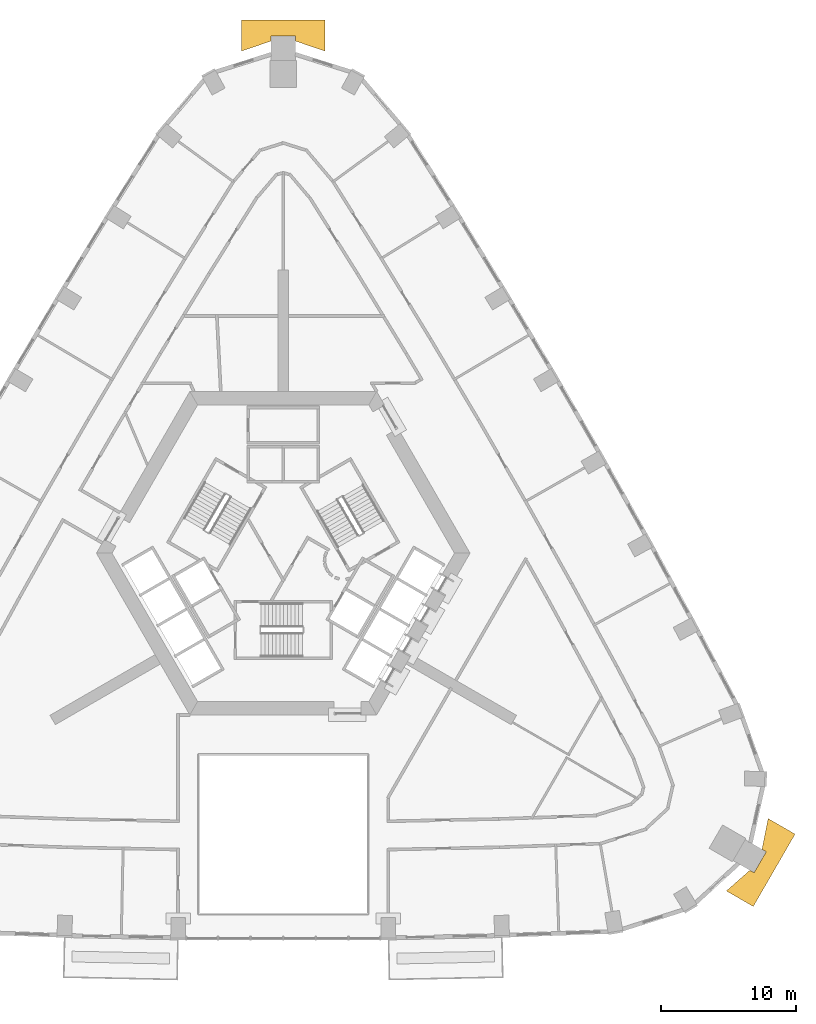
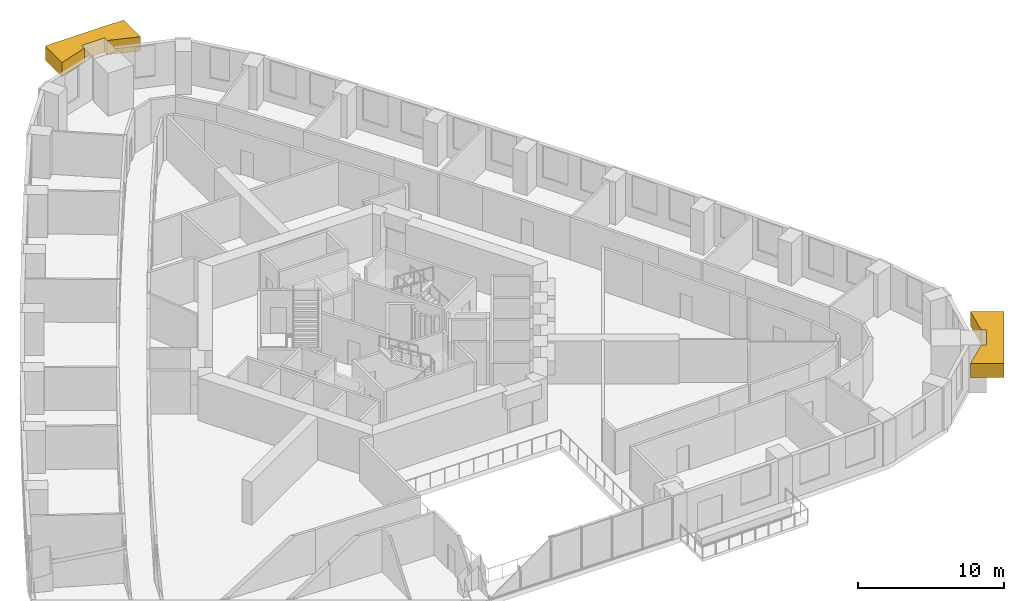
# One storey, part 14 of 14: 2 coverings.
"""IFC4 building model written with IfcOpenShell, lengths in metres."""

import ifcopenshell
import ifcopenshell.guid

model = None  # the IFC model being written
_history = None  # IfcOwnerHistory: only IFC2X3 demands one
_inside = {}  # id of a spatial element -> (the spatial element, [elements in it])
_under = {}  # id of a project, library or spatial element -> (it, [spatial elements below it])
_declared = {}  # id of a project -> (the project, [libraries it declares])
_typed = {}  # id of a type object -> (the type object, [elements of that type])
_made_of = {}  # id of a material, layer set ... -> (it, [elements and type objects made of it])


def new_model(schema):
    """Start an empty IFC model of exactly this schema.

    Asked for "IFC4X3", IfcOpenShell would pick the latest addendum, in which some entities
    have other attributes; the version numbers below select the first issue.
    IFC2X3 requires an IfcOwnerHistory on every rooted entity: one is made here for all.
    """
    global model, _history
    if schema == "IFC4X3":
        model = ifcopenshell.file(schema_version=(4, 3, 0, 0))
    else:
        model = ifcopenshell.file(schema=schema)
    _inside.clear()
    _under.clear()
    _declared.clear()
    _typed.clear()
    _made_of.clear()
    _history = None
    if model.schema == "IFC2X3":
        org = make("IfcOrganization", Name="unknown")
        user = make(
            "IfcPersonAndOrganization",
            ThePerson=make("IfcPerson", FamilyName="unknown"),
            TheOrganization=org,
        )
        app = make(
            "IfcApplication",
            ApplicationDeveloper=org,
            Version="unknown",
            ApplicationFullName="unknown",
            ApplicationIdentifier="unknown",
        )
        _history = make(
            "IfcOwnerHistory",
            OwningUser=user,
            OwningApplication=app,
            ChangeAction="ADDED",
            CreationDate=0,
        )
    return model


def make(cls, **values):
    """One entity of the class cls with the attributes given. An attribute that is None is left unset."""
    return model.create_entity(
        cls, **{name: value for name, value in values.items() if value is not None}
    )


def rooted(cls, **values):
    """An entity with a GlobalId (a new one), such as an element, a storey or a relation."""
    return make(cls, GlobalId=ifcopenshell.guid.new(), OwnerHistory=_history, **values)


def si_unit(unit_type, name, prefix=None):
    """IfcSIUnit, for example si_unit("LENGTHUNIT", "METRE", prefix="MILLI")."""
    return make("IfcSIUnit", UnitType=unit_type, Prefix=prefix, Name=name)


def assignment(units):
    """IfcUnitAssignment: the units of a project."""
    return None if units is None else make("IfcUnitAssignment", Units=units)


def point(xyz):
    """IfcCartesianPoint."""
    return None if xyz is None else make("IfcCartesianPoint", Coordinates=xyz)


def direction(xyz):
    """IfcDirection."""
    return None if xyz is None else make("IfcDirection", DirectionRatios=xyz)


def frame(location, z_axis=None, x_axis=None):
    """IfcAxis2Placement3D, a coordinate frame: its origin and axes. An axis left out is left unset."""
    return make(
        "IfcAxis2Placement3D",
        Location=point(location),
        Axis=direction(z_axis),
        RefDirection=direction(x_axis),
    )


def origin():
    """The frame at (0, 0, 0) with its axes left unset."""
    return frame((0.0, 0.0, 0.0))


def place(relative_to, where):
    """IfcLocalPlacement: puts the frame where relative to a parent placement (None: the world)."""
    return make(
        "IfcLocalPlacement", PlacementRelTo=relative_to, RelativePlacement=where
    )


def context(
    kind, dimensions, precision=None, world=None, true_north=None, identifier=None
):
    """IfcGeometricRepresentationContext, for example the 3D "Model" context."""
    return make(
        "IfcGeometricRepresentationContext",
        ContextIdentifier=identifier,
        ContextType=kind,
        CoordinateSpaceDimension=dimensions,
        Precision=precision,
        WorldCoordinateSystem=world,
        TrueNorth=true_north,
    )


def subcontext(parent, identifier, kind, view, scale=None):
    """IfcGeometricRepresentationSubContext, for example "Body" below "Model"."""
    return make(
        "IfcGeometricRepresentationSubContext",
        ContextIdentifier=identifier,
        ContextType=kind,
        ParentContext=parent,
        TargetScale=scale,
        TargetView=view,
    )


def project(units=None, contexts=None):
    """IfcProject with its units and contexts."""
    return rooted(
        "IfcProject",
        Name="project",
        RepresentationContexts=contexts,
        UnitsInContext=assignment(units),
    )


def spatial(cls, under=None, at=None, **own):
    """A site, building, storey or space (cls), placed at a placement, below another one or the project."""
    s = rooted(cls, ObjectPlacement=at, **own)
    if under is not None:
        _under.setdefault(under.id(), (under, []))[1].append(s)
    return s


def polyline(points):
    """IfcPolyline through the points."""
    return make("IfcPolyline", Points=[point(p) for p in points])


def outline(outer, holes=None, kind="AREA"):
    """IfcArbitraryClosedProfileDef: a profile drawn as a closed curve; with holes, ...WithVoids."""
    if holes is None:
        return make("IfcArbitraryClosedProfileDef", ProfileType=kind, OuterCurve=outer)
    return make(
        "IfcArbitraryProfileDefWithVoids",
        ProfileType=kind,
        OuterCurve=outer,
        InnerCurves=holes,
    )


def extrude(swept, where, along, depth):
    """IfcExtrudedAreaSolid: the profile swept, set in the frame where, extruded along a direction by depth."""
    return make(
        "IfcExtrudedAreaSolid",
        SweptArea=swept,
        Position=where,
        ExtrudedDirection=direction(along),
        Depth=depth,
    )


def shape(context_of_items, identifier, shape_type, items):
    """IfcShapeRepresentation: the items that make up one representation, for example the "Body"."""
    return make(
        "IfcShapeRepresentation",
        ContextOfItems=context_of_items,
        RepresentationIdentifier=identifier,
        RepresentationType=shape_type,
        Items=items,
    )


def material(Name=None, Category=None):
    """IfcMaterial."""
    return make("IfcMaterial", Name=Name, Category=Category)


def made_of(thing, what):
    """Note that an element or type object is made of a material, layer set ...; save() writes the relation."""
    if what is not None:
        _made_of.setdefault(what.id(), (what, []))[1].append(thing)
    return thing


def type_object(cls, material=None, **own):
    """A type object (cls), such as IfcWallType, which elements share."""
    return made_of(rooted(cls, **own), material)


def element(
    cls,
    number,
    at=None,
    inside=None,
    cuts=None,
    type_object=None,
    material=None,
    context=None,
    identifier="Body",
    shape_type=None,
    held_by="IfcProductDefinitionShape",
    body=None,
    shapes=None,
    **own,
):
    """One element of the class cls, such as IfcWall. Its Tag is "e" and its number.

    at: its placement. inside: the storey or other place that contains it. cuts: it is an
    opening in that element (IfcRelVoidsElement). A single representation is given by context,
    identifier, shape_type and body (its items); several are given by shapes. held_by: the class
    of the entity that holds the representations. save() writes the other relations.
    """
    e = rooted(cls, Tag="e%d" % number, ObjectPlacement=at, **own)
    if body is not None:
        shapes = [shape(context, identifier, shape_type, body)]
    if shapes is not None:
        e.Representation = make(held_by, Representations=shapes)
    if inside is not None:
        _inside.setdefault(inside.id(), (inside, []))[1].append(e)
    if cuts is not None:
        rooted(
            "IfcRelVoidsElement", RelatingBuildingElement=cuts, RelatedOpeningElement=e
        )
    if type_object is not None:
        _typed.setdefault(type_object.id(), (type_object, []))[1].append(e)
    return made_of(e, material)


def aggregate(whole, parts):
    """IfcRelAggregates: a whole, such as a stair, and the parts it consists of."""
    return rooted("IfcRelAggregates", RelatingObject=whole, RelatedObjects=parts)


def save(model, path):
    """Write the relations noted so far, then the file.

    IfcRelAggregates (storeys below a building ...), IfcRelContainedInSpatialStructure (elements
    in a storey), IfcRelDefinesByType, IfcRelAssociatesMaterial and IfcRelDeclares: one each for
    every whole, place, type object, material and project.
    """
    for whole, parts in _under.values():
        aggregate(whole, parts)
    for where, things in _inside.values():
        rooted(
            "IfcRelContainedInSpatialStructure",
            RelatedElements=things,
            RelatingStructure=where,
        )
    for kind, things in _typed.values():
        rooted("IfcRelDefinesByType", RelatedObjects=things, RelatingType=kind)
    for what, things in _made_of.values():
        rooted("IfcRelAssociatesMaterial", RelatedObjects=things, RelatingMaterial=what)
    for by, libraries in _declared.values():
        rooted("IfcRelDeclares", RelatingContext=by, RelatedDefinitions=libraries)
    model.write(path)


model = new_model("IFC4")

# Units and contexts
model_context = context("Model", 3, precision=1e-05, world=origin(), true_north=direction((0.0, 1.0)))
body_context = subcontext(model_context, "Body", "Model", "MODEL_VIEW")
ifc_project = project(units=[si_unit("LENGTHUNIT", "METRE"), si_unit("AREAUNIT", "SQUARE_METRE"), si_unit("VOLUMEUNIT", "CUBIC_METRE"), si_unit("PLANEANGLEUNIT", "RADIAN"), si_unit("MASSUNIT", "GRAM", prefix="KILO")], contexts=[model_context])

# Site, building, storey
site_placement = place(None, origin())
site = spatial("IfcSite", under=ifc_project, at=site_placement, CompositionType="ELEMENT")
building_placement = place(site_placement, origin())
building = spatial("IfcBuilding", under=site, at=building_placement, Name="Entoto Arch Interchange Tower", CompositionType="ELEMENT")
storey_placement = place(building_placement, frame((0.0, 0.0, 180.199951171875)))
storey = spatial("IfcBuildingStorey", under=building, at=storey_placement, Name="L40", CompositionType="ELEMENT", Elevation=180.199951171875)

# Coverings
ifc_material = material(Name="Board-marked precast concrete C50/60", Category="concrete")
covering_type = type_object("IfcCoveringType", Name="PRECAST FRAME COURSE", PredefinedType="CLADDING", material=ifc_material)
covering_1_placement = place(storey_placement, frame((0.0, 0.0, 2.400146484375)))
element("IfcCovering", 1, at=covering_1_placement, inside=storey, type_object=covering_type, Name="Corner pilaster head SE L39-L40", PredefinedType="CLADDING", context=body_context, shape_type="SweptSolid", body=[
    extrude(outline(polyline([(37.968017578125, -18.340087890625), (34.867919921875, -23.7099609375), (32.87109375, -22.556884765625), (34.612060546875, -21.02197265625), (34.927978515625, -21.2041015625), (35.827880859375, -19.64599609375), (35.511962890625, -19.462890625), (35.970947265625, -17.18701171875), (37.968017578125, -18.340087890625)])), origin(), (0.0, 0.0, 1.0), 1.199951171875),
])
covering_2_placement = place(storey_placement, frame((0.0, 0.0, 2.400146484375)))
element("IfcCovering", 2, at=covering_2_placement, inside=storey, type_object=covering_type, Name="Corner pilaster head N L39-L40", PredefinedType="CLADDING", context=body_context, shape_type="SweptSolid", body=[
    extrude(outline(polyline([(-3.10009765625, 42.051025390625), (3.10009765625, 42.051025390625), (3.10009765625, 39.7451171875), (0.89990234375, 40.486083984375), (0.89990234375, 40.85107421875), (-0.89990234375, 40.85107421875), (-0.89990234375, 40.486083984375), (-3.10009765625, 39.7451171875), (-3.10009765625, 42.051025390625)])), origin(), (0.0, 0.0, 1.0), 1.199951171875),
])

save(model, "model.ifc")
